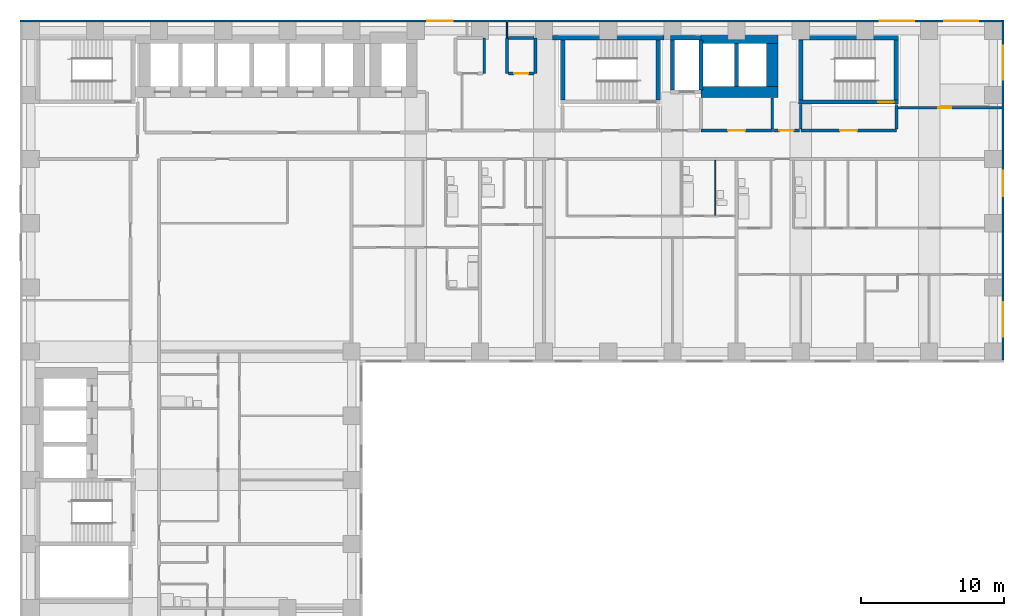
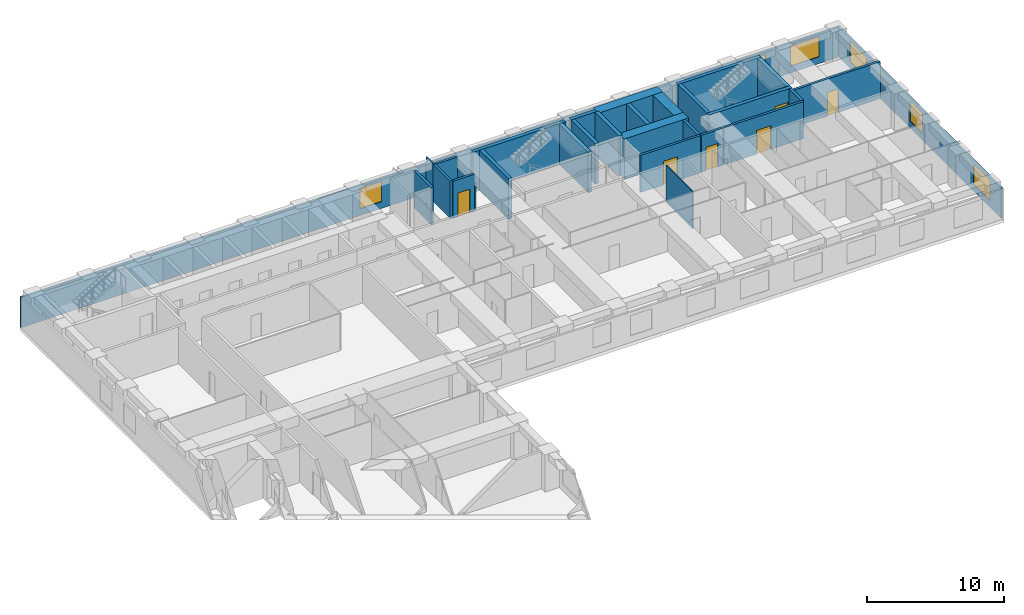
# One storey, part 8 of 11: 30 walls, 6 doors, 6 windows, 12 openings.
"""IFC4 building model written with IfcOpenShell, lengths in metres."""

from ifc_helpers import new_model, si_unit, direction, frame, frame_2d, origin, place, context, subcontext, project, spatial, rectangle, extrude, material, layer, layer_set, type_object, element, fill, save


model = new_model("IFC4")

# Units and contexts
model_context = context("Model", 3, precision=1e-05, world=origin(), true_north=direction((0.0, 1.0)))
body_context = subcontext(model_context, "Body", "Model", "MODEL_VIEW")
ifc_project = project(units=[si_unit("LENGTHUNIT", "METRE"), si_unit("AREAUNIT", "SQUARE_METRE"), si_unit("VOLUMEUNIT", "CUBIC_METRE"), si_unit("PLANEANGLEUNIT", "RADIAN"), si_unit("MASSUNIT", "GRAM", prefix="KILO")], contexts=[model_context])

# Site, building, storey
site_placement = place(None, origin())
site = spatial("IfcSite", under=ifc_project, at=site_placement, CompositionType="ELEMENT")
building_placement = place(site_placement, origin())
building = spatial("IfcBuilding", under=site, at=building_placement, Name="Firuza Court", CompositionType="ELEMENT")
storey_placement = place(building_placement, frame((0.0, 0.0, 75.800048828125)))
storey = spatial("IfcBuildingStorey", under=building, at=storey_placement, Name="L18", CompositionType="ELEMENT", Elevation=75.800048828125)

# Walls
ifc_material_1 = material(Name="Moisture-resistant gypsum board partition")
ifc_layer_1 = layer(ifc_material_1, 0.10009765625)
ifc_layer_set_1 = layer_set([ifc_layer_1], Name="Moisture-resistant gypsum board partition")
wall_type_1 = type_object("IfcWallType", Name="Bathroom partition 100", PredefinedType="PLUMBINGWALL", material=ifc_layer_set_1)
wall_1_placement = place(storey_placement, frame((48.0, 45.550048828125, 0.0), z_axis=(0.0, 0.0, 1.0), x_axis=(0.0, 1.0, 0.0)))
element("IfcWall", 1, at=wall_1_placement, inside=storey, type_object=wall_type_1, Name="Bathroom partition 100 L18", PredefinedType="PLUMBINGWALL", context=body_context, shape_type="SweptSolid", body=[
    extrude(rectangle(XDim=3.849853515625, YDim=0.10009765625, at=frame_2d((1.9248046875, 0.0))), origin(), (0.0, 0.0, 1.0), 3.300048828125),
])
ifc_material_2 = material(Name="Concrete C60/75", Category="concrete")
ifc_layer_2 = layer(ifc_material_2, 0.300048828125)
ifc_layer_set_2 = layer_set([ifc_layer_2], Name="Concrete C60/75")
wall_type_2 = type_object("IfcWallType", Name="Core wall 300 C60/75", PredefinedType="SHEAR", material=ifc_layer_set_2)
wall_2_placement = place(storey_placement, frame((36.60009765625, 58.0, -0.300048828125), z_axis=(0.0, 0.0, 1.0), x_axis=(1.0, 0.0, 0.0)))
element("IfcWall", 2, at=wall_2_placement, inside=storey, type_object=wall_type_2, Name="Core wall stair L18", PredefinedType="SHEAR", context=body_context, shape_type="SweptSolid", body=[
    extrude(rectangle(XDim=7.7998046875, YDim=0.300048828125, at=frame_2d((3.89990234375, 0.0))), origin(), (0.0, 0.0, 1.0), 3.60009765625),
])
for number, where, z_axis, x_axis, name in (
    (3, (37.300048828125, 53.64990234375, -0.300048828125), (0.0, 0.0, 1.0), (0.0, 1.0, 0.0), "Core wall stair L18"),
    (4, (44.0, 53.64990234375, -0.300048828125), (0.0, 0.0, 1.0), (0.0, 1.0, 0.0), "Core wall stair L18"),
):
    element("IfcWall", number, at=place(storey_placement, frame(where, z_axis=z_axis, x_axis=x_axis)), inside=storey, type_object=wall_type_2, Name=name, PredefinedType="SHEAR", context=body_context, shape_type="SweptSolid", body=[
        extrude(rectangle(XDim=4.2001953125, YDim=0.300048828125, at=frame_2d((2.10009765625, 0.0))), origin(), (0.0, 0.0, 1.0), 3.60009765625),
    ])
wall_3_placement = place(storey_placement, frame((44.85009765625, 58.0, -0.300048828125), z_axis=(0.0, 0.0, 1.0), x_axis=(1.0, 0.0, 0.0)))
element("IfcWall", 5, at=wall_3_placement, inside=storey, type_object=wall_type_2, Name="Core wall riser L18", PredefinedType="SHEAR", context=body_context, shape_type="SweptSolid", body=[
    extrude(rectangle(XDim=2.14990234375, YDim=0.300048828125, at=frame_2d((1.074951171875, 0.0))), origin(), (0.0, 0.0, 1.0), 3.60009765625),
])
for number, where, z_axis, x_axis, name in (
    (6, (45.0, 54.35009765625, -0.300048828125), (0.0, 0.0, 1.0), (0.0, 1.0, 0.0), "Core wall riser L18"),
    (7, (47.0, 54.35009765625, -0.300048828125), (0.0, 0.0, 1.0), (0.0, 1.0, 0.0), "Core wall lift shaft L18"),
):
    element("IfcWall", number, at=place(storey_placement, frame(where, z_axis=z_axis, x_axis=x_axis)), inside=storey, type_object=wall_type_2, Name=name, PredefinedType="SHEAR", context=body_context, shape_type="SweptSolid", body=[
        extrude(rectangle(XDim=3.5, YDim=0.300048828125, at=frame_2d((1.75, 0.0))), origin(), (0.0, 0.0, 1.0), 3.60009765625),
    ])
wall_4_placement = place(storey_placement, frame((49.5, 54.60009765625, -0.300048828125), z_axis=(0.0, 0.0, 1.0), x_axis=(0.0, 1.0, 0.0)))
element("IfcWall", 8, at=wall_4_placement, inside=storey, type_object=wall_type_2, Name="Core wall lift shaft L18", PredefinedType="SHEAR", context=body_context, shape_type="SweptSolid", body=[
    extrude(rectangle(XDim=3.0, YDim=0.300048828125, at=frame_2d((1.5, 0.0))), origin(), (0.0, 0.0, 1.0), 3.60009765625),
])

# Wall, opening, door
wall_5_placement = place(storey_placement, frame((53.85009765625, 53.5, -0.300048828125), z_axis=(0.0, 0.0, 1.0), x_axis=(1.0, 0.0, 0.0)))
wall_5 = element("IfcWall", 9, at=wall_5_placement, inside=storey, type_object=wall_type_2, Name="Core wall stair L18", PredefinedType="SHEAR", context=body_context, shape_type="SweptSolid", body=[
    extrude(rectangle(XDim=7.0, YDim=0.300048828125, at=frame_2d((3.5, 0.0))), origin(), (0.0, 0.0, 1.0), 3.60009765625),
])
opening_1_placement = place(wall_5_placement, frame((5.580078125, 0.0, 0.300048828125)))
opening_1 = element("IfcOpeningElement", 10, at=opening_1_placement, cuts=wall_5, Name="Opening D18017", PredefinedType="OPENING", context=body_context, shape_type="SweptSolid", body=[
    extrude(rectangle(XDim=1.10009765625, YDim=2.10009765625, at=frame_2d((0.550048828125, 1.050048828125))), frame((0.0, 0.162109375, 0.0), z_axis=(0.0, -1.0, 0.0), x_axis=(1.0, 0.0, 0.0)), (0.0, 0.0, 1.0), 0.323974609375),
])
ifc_material_3 = material(Name="Timber door leaf in hardwood frame", Category="wood")
door_type_1 = type_object("IfcDoorType", Name="Stair door 1100", OperationType="SINGLE_SWING_LEFT", PredefinedType="DOOR", material=ifc_material_3)
door_1_placement = place(opening_1_placement, origin())
door_1 = element("IfcDoor", 11, at=door_1_placement, inside=storey, type_object=door_type_1, Name="Stair door S4", OperationType="SINGLE_SWING_RIGHT", OverallHeight=2.10009765625, OverallWidth=1.10009765625, PredefinedType="DOOR", context=body_context, shape_type="SweptSolid", body=[
    extrude(rectangle(XDim=1.10009765625, YDim=2.10009765625, at=frame_2d((0.550048828125, 1.050048828125))), frame((0.0, 0.02490234375, 0.0), z_axis=(0.0, -1.0, 0.0), x_axis=(1.0, 0.0, 0.0)), (0.0, 0.0, 1.0), 0.050048828125),
])
fill(opening_1, door_1)

# Walls
wall_6_placement = place(storey_placement, frame((53.85009765625, 58.0, -0.300048828125), z_axis=(0.0, 0.0, 1.0), x_axis=(1.0, 0.0, 0.0)))
element("IfcWall", 12, at=wall_6_placement, inside=storey, type_object=wall_type_2, Name="Core wall stair L18", PredefinedType="SHEAR", context=body_context, shape_type="SweptSolid", body=[
    extrude(rectangle(XDim=7.0, YDim=0.300048828125, at=frame_2d((3.5, 0.0))), origin(), (0.0, 0.0, 1.0), 3.60009765625),
])
for number, where, z_axis, x_axis, name in (
    (13, (54.0, 53.64990234375, -0.300048828125), (0.0, 0.0, 1.0), (0.0, 1.0, 0.0), "Core wall stair L18"),
    (14, (60.699951171875, 53.64990234375, -0.300048828125), (0.0, 0.0, 1.0), (0.0, 1.0, 0.0), "Core wall stair L18"),
):
    element("IfcWall", number, at=place(storey_placement, frame(where, z_axis=z_axis, x_axis=x_axis)), inside=storey, type_object=wall_type_2, Name=name, PredefinedType="SHEAR", context=body_context, shape_type="SweptSolid", body=[
        extrude(rectangle(XDim=4.2001953125, YDim=0.300048828125, at=frame_2d((2.10009765625, 0.0))), origin(), (0.0, 0.0, 1.0), 3.60009765625),
    ])
ifc_layer_3 = layer(ifc_material_2, 0.800048828125)
ifc_layer_set_3 = layer_set([ifc_layer_3], Name="Concrete C60/75")
wall_type_3 = type_object("IfcWallType", Name="Core wall 800 C60/75", PredefinedType="SHEAR", material=ifc_layer_set_3)
for number, where, z_axis, x_axis, name in (
    (15, (47.0, 54.199951171875, -0.300048828125), (0.0, 0.0, 1.0), (1.0, 0.0, 0.0), "Core wall lift shaft L18"),
    (16, (47.0, 58.0, -0.300048828125), (0.0, 0.0, 1.0), (1.0, 0.0, 0.0), "Core wall lift shaft L18"),
):
    element("IfcWall", number, at=place(storey_placement, frame(where, z_axis=z_axis, x_axis=x_axis)), inside=storey, type_object=wall_type_3, Name=name, PredefinedType="SHEAR", context=body_context, shape_type="SweptSolid", body=[
        extrude(rectangle(XDim=5.39990234375, YDim=0.800048828125, at=frame_2d((2.699951171875, 0.0))), origin(), (0.0, 0.0, 1.0), 3.60009765625),
    ])
wall_7_placement = place(storey_placement, frame((52.0, 54.60009765625, -0.300048828125), z_axis=(0.0, 0.0, 1.0), x_axis=(0.0, 1.0, 0.0)))
element("IfcWall", 17, at=wall_7_placement, inside=storey, type_object=wall_type_3, Name="Core wall lift shaft L18", PredefinedType="SHEAR", context=body_context, shape_type="SweptSolid", body=[
    extrude(rectangle(XDim=3.0, YDim=0.800048828125, at=frame_2d((1.5, 0.0))), origin(), (0.0, 0.0, 1.0), 3.60009765625),
])

# Wall, opening, door
ifc_material_4 = material(Name="Blockwork, plastered both sides", Category="masonry")
ifc_layer_4 = layer(ifc_material_4, 0.199951171875)
ifc_layer_set_4 = layer_set([ifc_layer_4], Name="Blockwork, plastered both sides")
wall_type_4 = type_object("IfcWallType", Name="Corridor wall 200", PredefinedType="PARTITIONING", material=ifc_layer_set_4)
wall_8_placement = place(storey_placement, frame((52.10009765625, 51.5, 0.0), z_axis=(0.0, 0.0, 1.0), x_axis=(1.0, 0.0, 0.0)))
wall_8 = element("IfcWall", 18, at=wall_8_placement, inside=storey, type_object=wall_type_4, Name="Corridor wall 200 L18", PredefinedType="PARTITIONING", context=body_context, shape_type="SweptSolid", body=[
    extrude(rectangle(XDim=1.7998046875, YDim=0.199951171875, at=frame_2d((0.89990234375, 0.0))), origin(), (0.0, 0.0, 1.0), 3.300048828125),
])
opening_2_placement = place(wall_8_placement, frame((0.39990234375, 0.0, 0.0)))
opening_2 = element("IfcOpeningElement", 19, at=opening_2_placement, cuts=wall_8, Name="Opening D18074", PredefinedType="OPENING", context=body_context, shape_type="SweptSolid", body=[
    extrude(rectangle(XDim=1.0, YDim=2.10009765625, at=frame_2d((0.5, 1.050048828125))), frame((0.0, 0.11181640625, 0.0), z_axis=(0.0, -1.0, 0.0), x_axis=(1.0, 0.0, 0.0)), (0.0, 0.0, 1.0), 0.223876953125),
])
ifc_material_5 = material(Name="Timber door leaf in hardwood frame", Category="wood")
door_type_2 = type_object("IfcDoorType", Name="Store door 1000", OperationType="SINGLE_SWING_LEFT", PredefinedType="DOOR", material=ifc_material_5)
door_2_placement = place(opening_2_placement, origin())
door_2 = element("IfcDoor", 20, at=door_2_placement, inside=storey, type_object=door_type_2, Name="Cleaner's store door", OperationType="SINGLE_SWING_LEFT", OverallHeight=2.10009765625, OverallWidth=1.0, PredefinedType="DOOR", context=body_context, shape_type="SweptSolid", body=[
    extrude(rectangle(XDim=1.0, YDim=2.10009765625, at=frame_2d((0.5, 1.050048828125))), frame((0.0, 0.02490234375, 0.0), z_axis=(0.0, -1.0, 0.0), x_axis=(1.0, 0.0, 0.0)), (0.0, 0.0, 1.0), 0.050048828125),
])
fill(opening_2, door_2)

wall_9_placement = place(storey_placement, frame((60.800048828125, 53.10009765625, 0.0), z_axis=(0.0, 0.0, 1.0), x_axis=(1.0, 0.0, 0.0)))
wall_9 = element("IfcWall", 21, at=wall_9_placement, inside=storey, type_object=wall_type_4, Name="Corridor wall 200 L18", PredefinedType="PARTITIONING", context=body_context, shape_type="SweptSolid", body=[
    extrude(rectangle(XDim=7.300048828125, YDim=0.199951171875, at=frame_2d((3.64990234375, 0.0))), origin(), (0.0, 0.0, 1.0), 3.300048828125),
])
opening_3_placement = place(wall_9_placement, frame((2.85009765625, 0.0, 0.0)))
opening_3 = element("IfcOpeningElement", 22, at=opening_3_placement, cuts=wall_9, Name="Opening D18075", PredefinedType="OPENING", context=body_context, shape_type="SweptSolid", body=[
    extrude(rectangle(XDim=0.89990234375, YDim=2.10009765625, at=frame_2d((0.449951171875, 1.050048828125))), frame((0.0, 0.11181640625, 0.0), z_axis=(0.0, -1.0, 0.0), x_axis=(1.0, 0.0, 0.0)), (0.0, 0.0, 1.0), 0.223876953125),
])
ifc_material_6 = material(Name="Timber door leaf in hardwood frame", Category="wood")
door_type_3 = type_object("IfcDoorType", Name="Room door 900 EI 30", OperationType="SINGLE_SWING_LEFT", PredefinedType="DOOR", material=ifc_material_6)
door_3_placement = place(opening_3_placement, origin())
door_3 = element("IfcDoor", 23, at=door_3_placement, inside=storey, type_object=door_type_3, Name="Meeting room door", OperationType="SINGLE_SWING_LEFT", OverallHeight=2.10009765625, OverallWidth=0.89990234375, PredefinedType="DOOR", context=body_context, shape_type="SweptSolid", body=[
    extrude(rectangle(XDim=0.89990234375, YDim=2.10009765625, at=frame_2d((0.449951171875, 1.050048828125))), frame((0.0, 0.02490234375, 0.0), z_axis=(0.0, -1.0, 0.0), x_axis=(1.0, 0.0, 0.0)), (0.0, 0.0, 1.0), 0.050048828125),
])
fill(opening_3, door_3)

# Walls
ifc_material_7 = material(Name="Timber stud partition, plasterboard both sides", Category="wood")
ifc_layer_5 = layer(ifc_material_7, 0.10009765625)
ifc_layer_set_5 = layer_set([ifc_layer_5], Name="Timber stud partition, plasterboard both sides")
wall_type_5 = type_object("IfcWallType", Name="Partition wall 100", PredefinedType="PARTITIONING", material=ifc_layer_set_5)
wall_10_placement = place(storey_placement, frame((33.39990234375, 58.0, 0.0), z_axis=(0.0, 0.0, 1.0), x_axis=(0.0, 1.0, 0.0)))
element("IfcWall", 24, at=wall_10_placement, inside=storey, type_object=wall_type_5, Name="Partition wall 100 L18", PredefinedType="PARTITIONING", context=body_context, shape_type="SweptSolid", body=[
    extrude(rectangle(XDim=1.10009765625, YDim=0.10009765625, at=frame_2d((0.550048828125, 0.0))), origin(), (0.0, 0.0, 1.0), 3.300048828125),
])
ifc_material_8 = material(Name="Blockwork, fire-rated", Category="masonry")
ifc_layer_6 = layer(ifc_material_8, 0.199951171875)
ifc_layer_set_6 = layer_set([ifc_layer_6], Name="Blockwork, fire-rated")
wall_type_6 = type_object("IfcWallType", Name="Plant room wall 200", PredefinedType="PARTITIONING", material=ifc_layer_set_6)
for number, where, z_axis, x_axis, name in (
    (25, (31.800048828125, 55.5, 0.0), (0.0, 0.0, 1.0), (0.0, 1.0, 0.0), "Plant room wall 200 L18"),
    (26, (33.39990234375, 55.5, 0.0), (0.0, 0.0, 1.0), (0.0, 1.0, 0.0), "Plant room wall 200 L18"),
):
    element("IfcWall", number, at=place(storey_placement, frame(where, z_axis=z_axis, x_axis=x_axis)), inside=storey, type_object=wall_type_6, Name=name, PredefinedType="PARTITIONING", context=body_context, shape_type="SweptSolid", body=[
        extrude(rectangle(XDim=2.5, YDim=0.199951171875, at=frame_2d((1.25, 0.0))), origin(), (0.0, 0.0, 1.0), 3.300048828125),
    ])

# Wall, opening, door
wall_11_placement = place(storey_placement, frame((33.5, 55.5, 0.0), z_axis=(0.0, 0.0, 1.0), x_axis=(1.0, 0.0, 0.0)))
wall_11 = element("IfcWall", 27, at=wall_11_placement, inside=storey, type_object=wall_type_6, Name="Plant room wall 200 L18", PredefinedType="PARTITIONING", context=body_context, shape_type="SweptSolid", body=[
    extrude(rectangle(XDim=1.800048828125, YDim=0.199951171875, at=frame_2d((0.89990234375, 0.0))), origin(), (0.0, 0.0, 1.0), 3.300048828125),
])
opening_4_placement = place(wall_11_placement, frame((0.39990234375, 0.0, 0.0)))
opening_4 = element("IfcOpeningElement", 28, at=opening_4_placement, cuts=wall_11, Name="Opening D18077", PredefinedType="OPENING", context=body_context, shape_type="SweptSolid", body=[
    extrude(rectangle(XDim=1.0, YDim=2.10009765625, at=frame_2d((0.5, 1.050048828125))), frame((0.0, 0.11181640625, 0.0), z_axis=(0.0, -1.0, 0.0), x_axis=(1.0, 0.0, 0.0)), (0.0, 0.0, 1.0), 0.223876953125),
])
ifc_material_9 = material(Name="Timber door leaf in hardwood frame", Category="wood")
door_type_4 = type_object("IfcDoorType", Name="Riser door 1000", OperationType="SINGLE_SWING_LEFT", PredefinedType="DOOR", material=ifc_material_9)
door_4_placement = place(opening_4_placement, origin())
door_4 = element("IfcDoor", 29, at=door_4_placement, inside=storey, type_object=door_type_4, Name="Duct riser door", OperationType="SINGLE_SWING_LEFT", OverallHeight=2.10009765625, OverallWidth=1.0, PredefinedType="DOOR", context=body_context, shape_type="SweptSolid", body=[
    extrude(rectangle(XDim=1.0, YDim=2.10009765625, at=frame_2d((0.5, 1.050048828125))), frame((0.0, 0.02490234375, 0.0), z_axis=(0.0, -1.0, 0.0), x_axis=(1.0, 0.0, 0.0)), (0.0, 0.0, 1.0), 0.050048828125),
])
fill(opening_4, door_4)

# Walls
wall_12_placement = place(storey_placement, frame((35.39990234375, 55.5, 0.0), z_axis=(0.0, 0.0, 1.0), x_axis=(0.0, 1.0, 0.0)))
element("IfcWall", 30, at=wall_12_placement, inside=storey, type_object=wall_type_6, Name="Plant room wall 200 L18", PredefinedType="PARTITIONING", context=body_context, shape_type="SweptSolid", body=[
    extrude(rectangle(XDim=2.5, YDim=0.199951171875, at=frame_2d((1.25, 0.0))), origin(), (0.0, 0.0, 1.0), 2.39990234375),
])
wall_13_placement = place(storey_placement, frame((33.5, 58.0, 0.0), z_axis=(0.0, 0.0, 1.0), x_axis=(1.0, 0.0, 0.0)))
element("IfcWall", 31, at=wall_13_placement, inside=storey, type_object=wall_type_6, Name="Plant room wall 200 L18", PredefinedType="PARTITIONING", context=body_context, shape_type="SweptSolid", body=[
    extrude(rectangle(XDim=1.800048828125, YDim=0.199951171875, at=frame_2d((0.89990234375, 0.0))), origin(), (0.0, 0.0, 1.0), 3.300048828125),
])

# Wall, openings, windows
ifc_material_10 = material(Name="Ceramic tile", Category="ceramic")
ifc_layer_7 = layer(ifc_material_10, 0.02001953125)
ifc_material_11 = material(Name="Mineral wool insulation", Category="insulation")
ifc_layer_8 = layer(ifc_material_11, 0.050048828125)
ifc_material_12 = material(Name="Concrete C40/50 precast", Category="concrete")
ifc_layer_9 = layer(ifc_material_12, 0.080078125)
ifc_layer_set_7 = layer_set([ifc_layer_7, ifc_layer_8, ifc_layer_9], Name="Concrete C40/50 precast")
wall_type_7 = type_object("IfcWallType", Name="Precast cladding wall with turquoise TILE PANEL face 150", PredefinedType="STANDARD", material=ifc_layer_set_7)
wall_14_placement = place(storey_placement, frame((68.175048828125, 35.39990234375, 0.0), z_axis=(0.0, 0.0, 1.0), x_axis=(0.0, 1.0, 0.0)))
wall_14 = element("IfcWall", 32, at=wall_14_placement, inside=storey, type_object=wall_type_7, Name="Facade wall L18 E", PredefinedType="STANDARD", context=body_context, shape_type="SweptSolid", body=[
    extrude(rectangle(XDim=23.85009765625, YDim=0.14990234375, at=frame_2d((11.925048828125, 0.0))), origin(), (0.0, 0.0, 1.0), 2.699951171875),
])
opening_5_placement = place(wall_14_placement, frame((1.64990234375, 0.0, 0.60009765625)))
opening_5 = element("IfcOpeningElement", 33, at=opening_5_placement, cuts=wall_14, Name="Opening W1", PredefinedType="OPENING", context=body_context, shape_type="SweptSolid", body=[
    extrude(rectangle(XDim=2.39990234375, YDim=1.800048828125, at=frame_2d((1.199951171875, 0.89990234375))), frame((0.0, 0.0869140625, 0.0), z_axis=(0.0, -1.0, 0.0), x_axis=(1.0, 0.0, 0.0)), (0.0, 0.0, 1.0), 0.173828125),
])
opening_6_placement = place(wall_14_placement, frame((11.490478515625, 0.0, 0.60009765625)))
opening_6 = element("IfcOpeningElement", 34, at=opening_6_placement, cuts=wall_14, Name="Opening W7", PredefinedType="OPENING", context=body_context, shape_type="SweptSolid", body=[
    extrude(rectangle(XDim=1.800048828125, YDim=1.800048828125, at=frame_2d((0.89990234375, 0.89990234375))), frame((0.0, 0.0869140625, 0.0), z_axis=(0.0, -1.0, 0.0), x_axis=(1.0, 0.0, 0.0)), (0.0, 0.0, 1.0), 0.173828125),
])
opening_7_placement = place(wall_14_placement, frame((19.64990234375, 0.0, 0.60009765625)))
opening_7 = element("IfcOpeningElement", 35, at=opening_7_placement, cuts=wall_14, Name="Opening W1", PredefinedType="OPENING", context=body_context, shape_type="SweptSolid", body=[
    extrude(rectangle(XDim=2.39990234375, YDim=1.800048828125, at=frame_2d((1.199951171875, 0.89990234375))), frame((0.0, 0.0869140625, 0.0), z_axis=(0.0, -1.0, 0.0), x_axis=(1.0, 0.0, 0.0)), (0.0, 0.0, 1.0), 0.173828125),
])
ifc_material_13 = material(Name="Aluminium frame, triple clear glazing", Category="aluminium")
window_type_1 = type_object("IfcWindowType", Name="Window W1 2400 x 1800", PartitioningType="SINGLE_PANEL", PredefinedType="WINDOW", material=ifc_material_13)
window_1_placement = place(opening_5_placement, origin())
window_1 = element("IfcWindow", 36, at=window_1_placement, inside=storey, type_object=window_type_1, Name="Window L18", OverallHeight=1.800048828125, OverallWidth=2.39990234375, PartitioningType="SINGLE_PANEL", PredefinedType="WINDOW", context=body_context, shape_type="SweptSolid", body=[
    extrude(rectangle(XDim=2.39990234375, YDim=1.800048828125, at=frame_2d((1.199951171875, 0.89990234375))), frame((0.0, 0.030029296875, 0.0), z_axis=(0.0, -1.0, 0.0), x_axis=(1.0, 0.0, 0.0)), (0.0, 0.0, 1.0), 0.06005859375),
])
fill(opening_5, window_1)
window_2_placement = place(opening_7_placement, origin())
window_2 = element("IfcWindow", 37, at=window_2_placement, inside=storey, type_object=window_type_1, Name="Window L18", OverallHeight=1.800048828125, OverallWidth=2.39990234375, PartitioningType="SINGLE_PANEL", PredefinedType="WINDOW", context=body_context, shape_type="SweptSolid", body=[
    extrude(rectangle(XDim=2.39990234375, YDim=1.800048828125, at=frame_2d((1.199951171875, 0.89990234375))), frame((0.0, 0.030029296875, 0.0), z_axis=(0.0, -1.0, 0.0), x_axis=(1.0, 0.0, 0.0)), (0.0, 0.0, 1.0), 0.06005859375),
])
fill(opening_7, window_2)
ifc_material_14 = material(Name="Aluminium frame, triple clear glazing", Category="aluminium")
window_type_2 = type_object("IfcWindowType", Name="Window W7 1800 x 1800", PartitioningType="SINGLE_PANEL", PredefinedType="WINDOW", material=ifc_material_14)
window_3_placement = place(opening_6_placement, origin())
window_3 = element("IfcWindow", 38, at=window_3_placement, inside=storey, type_object=window_type_2, Name="Window L18", OverallHeight=1.800048828125, OverallWidth=1.800048828125, PartitioningType="SINGLE_PANEL", PredefinedType="WINDOW", context=body_context, shape_type="SweptSolid", body=[
    extrude(rectangle(XDim=1.800048828125, YDim=1.800048828125, at=frame_2d((0.89990234375, 0.89990234375))), frame((0.0, 0.030029296875, 0.0), z_axis=(0.0, -1.0, 0.0), x_axis=(1.0, 0.0, 0.0)), (0.0, 0.0, 1.0), 0.06005859375),
])
fill(opening_6, window_3)

wall_15_placement = place(storey_placement, frame((68.10009765625, 59.175048828125, 0.0), z_axis=(0.0, 0.0, 1.0), x_axis=(-1.0, 0.0, 0.0)))
wall_15 = element("IfcWall", 39, at=wall_15_placement, inside=storey, type_object=wall_type_7, Name="Facade wall L18 N", PredefinedType="STANDARD", context=body_context, shape_type="SweptSolid", body=[
    extrude(rectangle(XDim=68.85009765625, YDim=0.14990234375, at=frame_2d((34.425048828125, 0.0))), origin(), (0.0, 0.0, 1.0), 2.699951171875),
])
opening_8_placement = place(wall_15_placement, frame((1.64990234375, 0.0, 0.60009765625)))
opening_8 = element("IfcOpeningElement", 40, at=opening_8_placement, cuts=wall_15, Name="Opening W1", PredefinedType="OPENING", context=body_context, shape_type="SweptSolid", body=[
    extrude(rectangle(XDim=2.39990234375, YDim=1.800048828125, at=frame_2d((1.199951171875, 0.89990234375))), frame((0.0, 0.0869140625, 0.0), z_axis=(0.0, -1.0, 0.0), x_axis=(1.0, 0.0, 0.0)), (0.0, 0.0, 1.0), 0.173828125),
])
opening_9_placement = place(wall_15_placement, frame((6.14990234375, 0.0, 0.60009765625)))
opening_9 = element("IfcOpeningElement", 41, at=opening_9_placement, cuts=wall_15, Name="Opening W1", PredefinedType="OPENING", context=body_context, shape_type="SweptSolid", body=[
    extrude(rectangle(XDim=2.39990234375, YDim=1.800048828125, at=frame_2d((1.199951171875, 0.89990234375))), frame((0.0, 0.0869140625, 0.0), z_axis=(0.0, -1.0, 0.0), x_axis=(1.0, 0.0, 0.0)), (0.0, 0.0, 1.0), 0.173828125),
])
opening_10_placement = place(wall_15_placement, frame((38.490478515625, 0.0, 0.60009765625)))
opening_10 = element("IfcOpeningElement", 42, at=opening_10_placement, cuts=wall_15, Name="Opening W7", PredefinedType="OPENING", context=body_context, shape_type="SweptSolid", body=[
    extrude(rectangle(XDim=1.800048828125, YDim=1.800048828125, at=frame_2d((0.89990234375, 0.89990234375))), frame((0.0, 0.0869140625, 0.0), z_axis=(0.0, -1.0, 0.0), x_axis=(1.0, 0.0, 0.0)), (0.0, 0.0, 1.0), 0.173828125),
])
window_4_placement = place(opening_8_placement, origin())
window_4 = element("IfcWindow", 43, at=window_4_placement, inside=storey, type_object=window_type_1, Name="Window L18", OverallHeight=1.800048828125, OverallWidth=2.39990234375, PartitioningType="SINGLE_PANEL", PredefinedType="WINDOW", context=body_context, shape_type="SweptSolid", body=[
    extrude(rectangle(XDim=2.39990234375, YDim=1.800048828125, at=frame_2d((1.199951171875, 0.89990234375))), frame((0.0, 0.030029296875, 0.0), z_axis=(0.0, -1.0, 0.0), x_axis=(1.0, 0.0, 0.0)), (0.0, 0.0, 1.0), 0.06005859375),
])
fill(opening_8, window_4)
window_5_placement = place(opening_9_placement, origin())
window_5 = element("IfcWindow", 44, at=window_5_placement, inside=storey, type_object=window_type_1, Name="Window L18", OverallHeight=1.800048828125, OverallWidth=2.39990234375, PartitioningType="SINGLE_PANEL", PredefinedType="WINDOW", context=body_context, shape_type="SweptSolid", body=[
    extrude(rectangle(XDim=2.39990234375, YDim=1.800048828125, at=frame_2d((1.199951171875, 0.89990234375))), frame((0.0, 0.030029296875, 0.0), z_axis=(0.0, -1.0, 0.0), x_axis=(1.0, 0.0, 0.0)), (0.0, 0.0, 1.0), 0.06005859375),
])
fill(opening_9, window_5)
window_6_placement = place(opening_10_placement, origin())
window_6 = element("IfcWindow", 45, at=window_6_placement, inside=storey, type_object=window_type_2, Name="Window L18", OverallHeight=1.800048828125, OverallWidth=1.800048828125, PartitioningType="SINGLE_PANEL", PredefinedType="WINDOW", context=body_context, shape_type="SweptSolid", body=[
    extrude(rectangle(XDim=1.800048828125, YDim=1.800048828125, at=frame_2d((0.89990234375, 0.89990234375))), frame((0.0, 0.030029296875, 0.0), z_axis=(0.0, -1.0, 0.0), x_axis=(1.0, 0.0, 0.0)), (0.0, 0.0, 1.0), 0.06005859375),
])
fill(opening_10, window_6)

# Wall, opening, door
ifc_layer_10 = layer(ifc_material_8, 0.199951171875)
ifc_layer_set_8 = layer_set([ifc_layer_10], Name="Blockwork, fire-rated")
wall_type_8 = type_object("IfcWallType", Name="Shaft wall 200", PredefinedType="PARTITIONING", material=ifc_layer_set_8)
wall_16_placement = place(storey_placement, frame((47.0, 51.5, 0.0), z_axis=(0.0, 0.0, 1.0), x_axis=(1.0, 0.0, 0.0)))
wall_16 = element("IfcWall", 46, at=wall_16_placement, inside=storey, type_object=wall_type_8, Name="Shaft wall 200 L18", PredefinedType="PARTITIONING", context=body_context, shape_type="SweptSolid", body=[
    extrude(rectangle(XDim=5.0, YDim=0.199951171875, at=frame_2d((2.5, 0.0))), origin(), (0.0, 0.0, 1.0), 3.300048828125),
])
opening_11_placement = place(wall_16_placement, frame((1.89990234375, 0.0, 0.0)))
opening_11 = element("IfcOpeningElement", 47, at=opening_11_placement, cuts=wall_16, Name="Opening D18009", PredefinedType="OPENING", context=body_context, shape_type="SweptSolid", body=[
    extrude(rectangle(XDim=1.199951171875, YDim=2.10009765625, at=frame_2d((0.60009765625, 1.050048828125))), frame((0.0, 0.11181640625, 0.0), z_axis=(0.0, -1.0, 0.0), x_axis=(1.0, 0.0, 0.0)), (0.0, 0.0, 1.0), 0.223876953125),
])
ifc_material_15 = material(Name="Timber door leaf in hardwood frame", Category="wood")
door_type_5 = type_object("IfcDoorType", Name="Lobby door 1200", OperationType="SINGLE_SWING_LEFT", PredefinedType="DOOR", material=ifc_material_15)
door_5_placement = place(opening_11_placement, origin())
door_5 = element("IfcDoor", 48, at=door_5_placement, inside=storey, type_object=door_type_5, Name="Lobby door", OperationType="SINGLE_SWING_LEFT", OverallHeight=2.10009765625, OverallWidth=1.199951171875, PredefinedType="DOOR", context=body_context, shape_type="SweptSolid", body=[
    extrude(rectangle(XDim=1.199951171875, YDim=2.10009765625, at=frame_2d((0.60009765625, 1.050048828125))), frame((0.0, 0.02490234375, 0.0), z_axis=(0.0, -1.0, 0.0), x_axis=(1.0, 0.0, 0.0)), (0.0, 0.0, 1.0), 0.050048828125),
])
fill(opening_11, door_5)

# Wall
wall_17_placement = place(storey_placement, frame((52.0, 51.60009765625, 0.0), z_axis=(0.0, 0.0, 1.0), x_axis=(0.0, 1.0, 0.0)))
element("IfcWall", 49, at=wall_17_placement, inside=storey, type_object=wall_type_8, Name="Shaft wall 200 L18", PredefinedType="PARTITIONING", context=body_context, shape_type="SweptSolid", body=[
    extrude(rectangle(XDim=2.179931640625, YDim=0.199951171875, at=frame_2d((1.08984375, 0.0))), origin(), (0.0, 0.0, 1.0), 3.300048828125),
])

# Wall, opening, door
wall_18_placement = place(storey_placement, frame((54.0, 51.5, 0.0), z_axis=(0.0, 0.0, 1.0), x_axis=(1.0, 0.0, 0.0)))
wall_18 = element("IfcWall", 50, at=wall_18_placement, inside=storey, type_object=wall_type_8, Name="Shaft wall 200 L18", PredefinedType="PARTITIONING", context=body_context, shape_type="SweptSolid", body=[
    extrude(rectangle(XDim=6.699951171875, YDim=0.199951171875, at=frame_2d((3.35009765625, 0.0))), origin(), (0.0, 0.0, 1.0), 3.300048828125),
])
opening_12_placement = place(wall_18_placement, frame((2.75, 0.0, 0.0)))
opening_12 = element("IfcOpeningElement", 51, at=opening_12_placement, cuts=wall_18, Name="Opening D18007", PredefinedType="OPENING", context=body_context, shape_type="SweptSolid", body=[
    extrude(rectangle(XDim=1.199951171875, YDim=2.10009765625, at=frame_2d((0.60009765625, 1.050048828125))), frame((0.0, 0.11181640625, 0.0), z_axis=(0.0, -1.0, 0.0), x_axis=(1.0, 0.0, 0.0)), (0.0, 0.0, 1.0), 0.223876953125),
])
door_6_placement = place(opening_12_placement, origin())
door_6 = element("IfcDoor", 52, at=door_6_placement, inside=storey, type_object=door_type_5, Name="Lobby door", OperationType="SINGLE_SWING_LEFT", OverallHeight=2.10009765625, OverallWidth=1.199951171875, PredefinedType="DOOR", context=body_context, shape_type="SweptSolid", body=[
    extrude(rectangle(XDim=1.199951171875, YDim=2.10009765625, at=frame_2d((0.60009765625, 1.050048828125))), frame((0.0, 0.02490234375, 0.0), z_axis=(0.0, -1.0, 0.0), x_axis=(1.0, 0.0, 0.0)), (0.0, 0.0, 1.0), 0.050048828125),
])
fill(opening_12, door_6)

# Walls
wall_19_placement = place(storey_placement, frame((60.699951171875, 51.60009765625, 0.0), z_axis=(0.0, 0.0, 1.0), x_axis=(0.0, 1.0, 0.0)))
element("IfcWall", 53, at=wall_19_placement, inside=storey, type_object=wall_type_8, Name="Shaft wall 200 L18", PredefinedType="PARTITIONING", context=body_context, shape_type="SweptSolid", body=[
    extrude(rectangle(XDim=1.72998046875, YDim=0.199951171875, at=frame_2d((0.864990234375, 0.0))), origin(), (0.0, 0.0, 1.0), 3.300048828125),
])
wall_20_placement = place(storey_placement, frame((54.0, 51.60009765625, 0.0), z_axis=(0.0, 0.0, 1.0), x_axis=(0.0, 1.0, 0.0)))
element("IfcWall", 54, at=wall_20_placement, inside=storey, type_object=wall_type_8, Name="Shaft wall 200 L18", PredefinedType="PARTITIONING", context=body_context, shape_type="SweptSolid", body=[
    extrude(rectangle(XDim=1.72998046875, YDim=0.199951171875, at=frame_2d((0.864990234375, 0.0))), origin(), (0.0, 0.0, 1.0), 2.599853515625),
])

save(model, "model.ifc")
